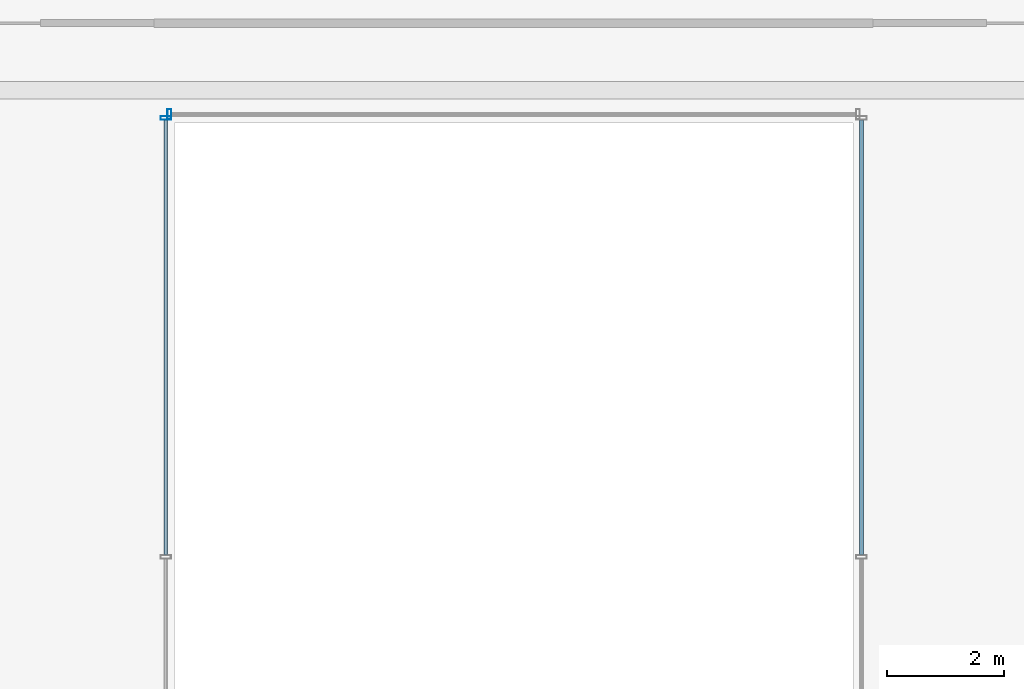
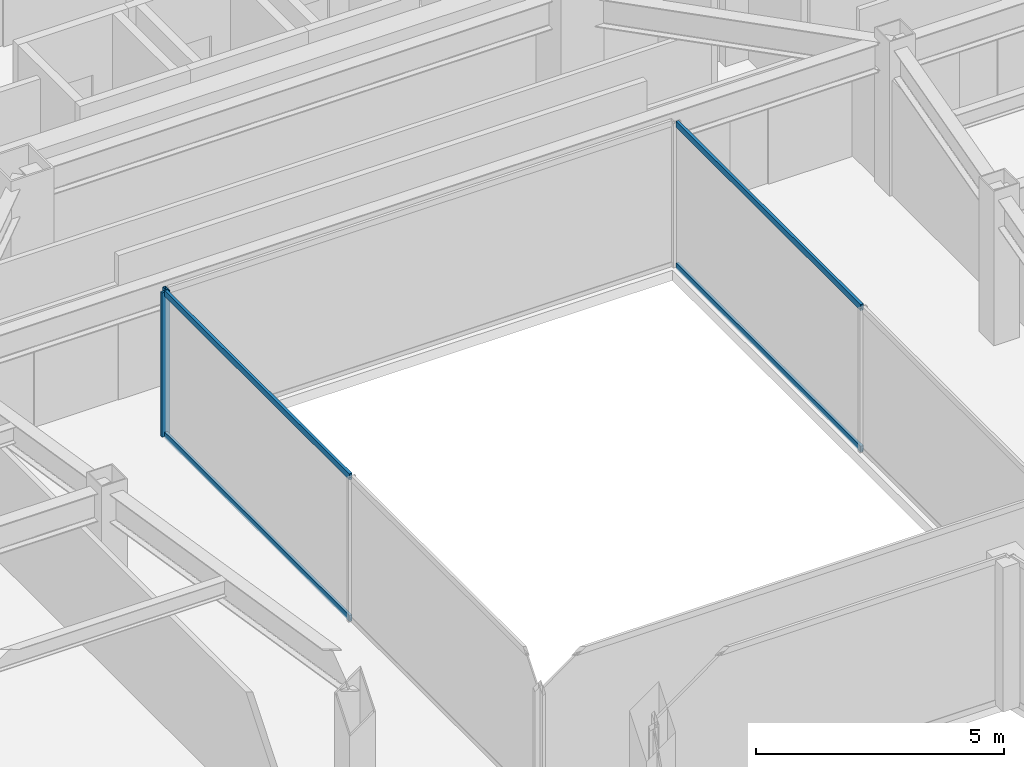
# One storey, part 12 of 38: 6 members, 3 elements without a shape of their own.
"""IFC4 building model written with IfcOpenShell, lengths in metres."""

from ifc_helpers import new_model, si_unit, direction, frame, origin, origin_2d, place, context, subcontext, project, spatial, hollow_rectangle, extrude, material, material_profile, profile_set, type_object, element, aggregate, save


model = new_model("IFC4")

# Units and contexts
model_context = context("Model", 3, precision=1e-05, world=origin(), true_north=direction((0.0, 1.0)))
body_context = subcontext(model_context, "Body", "Model", "MODEL_VIEW")
ifc_project = project(units=[si_unit("LENGTHUNIT", "METRE"), si_unit("AREAUNIT", "SQUARE_METRE"), si_unit("VOLUMEUNIT", "CUBIC_METRE"), si_unit("PLANEANGLEUNIT", "RADIAN"), si_unit("MASSUNIT", "GRAM", prefix="KILO")], contexts=[model_context])

# Site, building, storey
site_placement = place(None, origin())
site = spatial("IfcSite", under=ifc_project, at=site_placement, CompositionType="ELEMENT")
building_placement = place(site_placement, origin())
building = spatial("IfcBuilding", under=site, at=building_placement, Name="Saevonmaru Cultural Tower", CompositionType="ELEMENT")
storey_placement = place(building_placement, frame((0.0, 0.0, 137.199951171875)))
storey = spatial("IfcBuildingStorey", under=building, at=storey_placement, Name="L29", CompositionType="ELEMENT", Elevation=137.199951171875)

# Curtain wall, member
ifc_material = material(Name="Satin Bronze Anodised Aluminium", Category="aluminium")
curtain_wall_type = type_object("IfcCurtainWallType", Name="CW-ATR-GLZ", PredefinedType="NOTDEFINED", material=ifc_material)
curtain_wall_1_placement = place(storey_placement, origin())
curtain_wall_1 = element("IfcCurtainWall", 1, at=curtain_wall_1_placement, inside=storey, type_object=curtain_wall_type, Name="L29 Vertical Atrium Glazed Smoke Screen 3", PredefinedType="NOTDEFINED")
ifc_material_profile_1 = material_profile(ifc_material, hollow_rectangle(XDim=0.06494140625, YDim=0.179931640625, WallThickness=0.00390625, at=origin_2d()), Name="ALU-MULL-180x65x4")
ifc_profile_set_1 = profile_set([ifc_material_profile_1], Name="Satin Bronze Anodised Aluminium")
member_type_1 = type_object("IfcMemberType", Name="ML-CW-INT-180x65", PredefinedType="MULLION", material=ifc_profile_set_1)
member_1_placement = place(storey_placement, frame((24.110107421875, 37.389892578125, 0.0), z_axis=(0.0, 0.0, 1.0), x_axis=(-1.0, 0.0, 0.0)))
member_1 = element("IfcMember", 2, at=member_1_placement, type_object=member_type_1, Name="CW-ATR-L29-3 mullion 2", PredefinedType="MULLION", context=body_context, shape_type="SweptSolid", body=[
    extrude(hollow_rectangle(XDim=0.06494140625, YDim=0.179931640625, WallThickness=0.00390625, at=origin_2d()), origin(), (0.0, 0.0, 1.0), 3.550048828125),
])
aggregate(curtain_wall_1, [member_1])

curtain_wall_2_placement = place(storey_placement, origin())
curtain_wall_2 = element("IfcCurtainWall", 3, at=curtain_wall_2_placement, inside=storey, type_object=curtain_wall_type, Name="L29 Vertical Atrium Glazed Smoke Screen 4", PredefinedType="NOTDEFINED")
member_2_placement = place(storey_placement, frame((24.050048828125, 37.330078125, 0.0), z_axis=(0.0, 0.0, 1.0), x_axis=(0.0, -1.0, 0.0)))
member_2 = element("IfcMember", 4, at=member_2_placement, type_object=member_type_1, Name="CW-ATR-L29-4 mullion 1", PredefinedType="MULLION", context=body_context, shape_type="SweptSolid", body=[
    extrude(hollow_rectangle(XDim=0.06494140625, YDim=0.179931640625, WallThickness=0.00390625, at=origin_2d()), origin(), (0.0, 0.0, 1.0), 3.550048828125),
])

# Curtain wall, members
curtain_wall_3_placement = place(storey_placement, origin())
curtain_wall_3 = element("IfcCurtainWall", 5, at=curtain_wall_3_placement, inside=storey, type_object=curtain_wall_type, Name="L29 Vertical Atrium Glazed Smoke Screen 2", PredefinedType="NOTDEFINED")
ifc_material_profile_2 = material_profile(ifc_material, hollow_rectangle(XDim=0.06494140625, YDim=0.14990234375, WallThickness=0.00390625, at=origin_2d()), Name="ALU-TRAN-150x65x4")
ifc_profile_set_2 = profile_set([ifc_material_profile_2], Name="Satin Bronze Anodised Aluminium")
member_type_2 = type_object("IfcMemberType", Name="TR-CW-INT-150x65", PredefinedType="USERDEFINED", material=ifc_profile_set_2)
member_3_placement = place(storey_placement, frame((35.949951171875, 29.8525390625, 0.032470703125), z_axis=(0.0, 1.0, 0.0), x_axis=(-1.0, 0.0, 0.0)))
member_3 = element("IfcMember", 6, at=member_3_placement, type_object=member_type_2, Name="CW-ATR-L29-2 transom 2.1", ObjectType="TRANSOM", PredefinedType="USERDEFINED", context=body_context, shape_type="SweptSolid", body=[
    extrude(hollow_rectangle(XDim=0.06494140625, YDim=0.14990234375, WallThickness=0.00390625, at=origin_2d()), origin(), (0.0, 0.0, 1.0), 7.445068359375),
])
member_4_placement = place(storey_placement, frame((35.949951171875, 29.8525390625, 3.517578125), z_axis=(0.0, 1.0, 0.0), x_axis=(-1.0, 0.0, 0.0)))
member_4 = element("IfcMember", 7, at=member_4_placement, type_object=member_type_2, Name="CW-ATR-L29-2 transom 2.2", ObjectType="TRANSOM", PredefinedType="USERDEFINED", context=body_context, shape_type="SweptSolid", body=[
    extrude(hollow_rectangle(XDim=0.06494140625, YDim=0.14990234375, WallThickness=0.00390625, at=origin_2d()), origin(), (0.0, 0.0, 1.0), 7.445068359375),
])
aggregate(curtain_wall_3, [member_3, member_4])

# Member
member_5_placement = place(storey_placement, frame((24.050048828125, 37.297607421875, 0.032470703125), z_axis=(0.0, -1.0, 0.0), x_axis=(1.0, 0.0, 0.0)))
member_5 = element("IfcMember", 8, at=member_5_placement, type_object=member_type_2, Name="CW-ATR-L29-4 transom 1.1", ObjectType="TRANSOM", PredefinedType="USERDEFINED", context=body_context, shape_type="SweptSolid", body=[
    extrude(hollow_rectangle(XDim=0.06494140625, YDim=0.14990234375, WallThickness=0.00390625, at=origin_2d()), origin(), (0.0, 0.0, 1.0), 7.445068359375),
])

member_6_placement = place(storey_placement, frame((24.050048828125, 37.297607421875, 3.517578125), z_axis=(0.0, -1.0, 0.0), x_axis=(1.0, 0.0, 0.0)))
member_6 = element("IfcMember", 9, at=member_6_placement, type_object=member_type_2, Name="CW-ATR-L29-4 transom 1.2", ObjectType="TRANSOM", PredefinedType="USERDEFINED", context=body_context, shape_type="SweptSolid", body=[
    extrude(hollow_rectangle(XDim=0.06494140625, YDim=0.14990234375, WallThickness=0.00390625, at=origin_2d()), origin(), (0.0, 0.0, 1.0), 7.445068359375),
])

aggregate(curtain_wall_2, [member_2, member_5, member_6])

save(model, "model.ifc")
